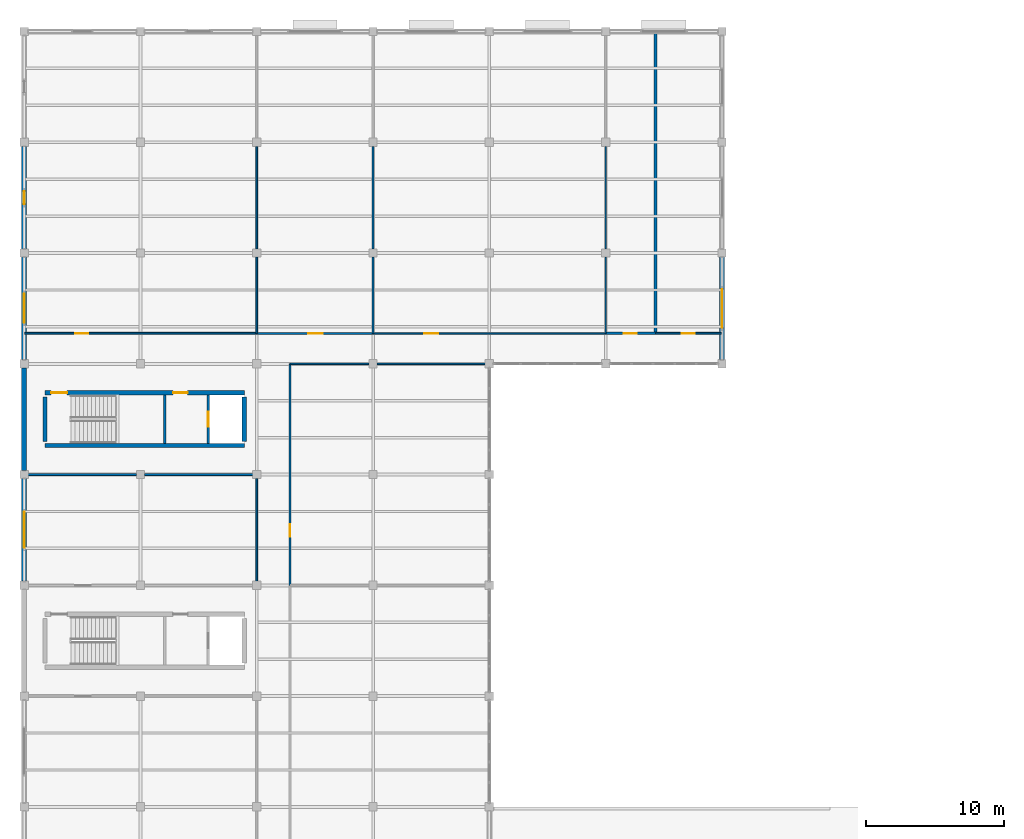
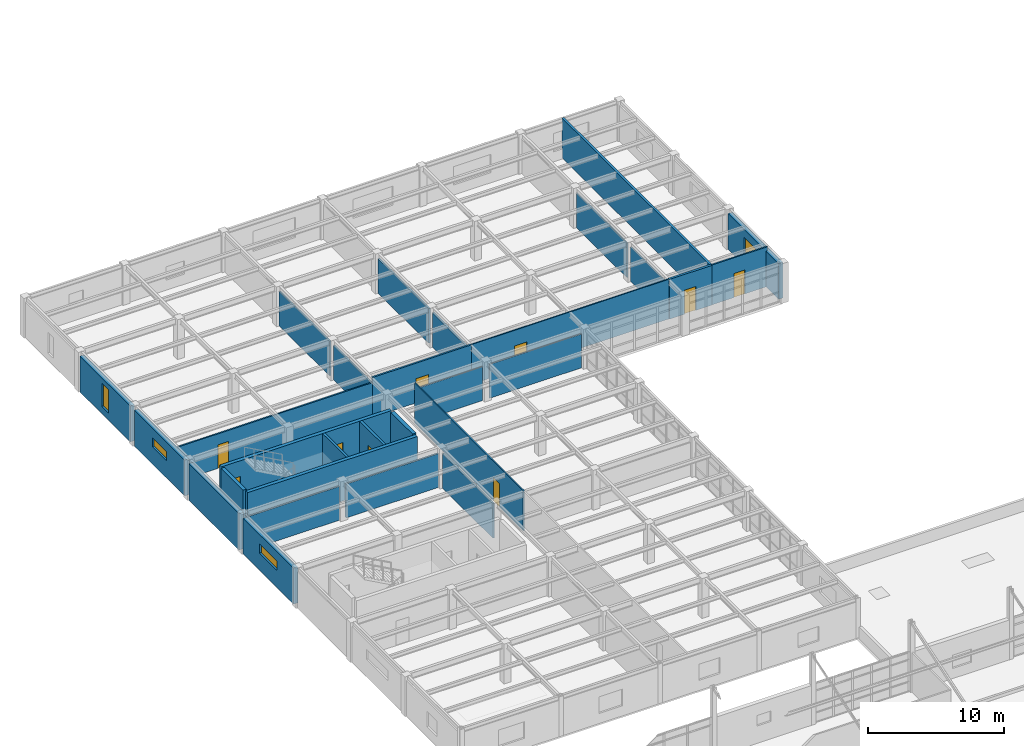
# One storey, part 50 of 96: 29 walls, 9 doors, 4 windows, 13 openings.
"""IFC4 building model written with IfcOpenShell, lengths in metres."""

from ifc_helpers import new_model, si_unit, direction, frame, frame_2d, origin, place, context, subcontext, project, spatial, rectangle, extrude, material, layer, layer_set, type_object, element, fill, save


model = new_model("IFC4")

# Units and contexts
model_context = context("Model", 3, precision=1e-05, world=origin(), true_north=direction((0.0, 1.0)))
body_context = subcontext(model_context, "Body", "Model", "MODEL_VIEW")
ifc_project = project(units=[si_unit("LENGTHUNIT", "METRE"), si_unit("AREAUNIT", "SQUARE_METRE"), si_unit("VOLUMEUNIT", "CUBIC_METRE"), si_unit("PLANEANGLEUNIT", "RADIAN"), si_unit("MASSUNIT", "GRAM", prefix="KILO")], contexts=[model_context])

# Site, building, storey
site_placement = place(None, origin())
site = spatial("IfcSite", under=ifc_project, at=site_placement, CompositionType="ELEMENT")
building_placement = place(site_placement, origin())
building = spatial("IfcBuilding", under=site, at=building_placement, Name="Kranzveld Transit Interchange", CompositionType="ELEMENT")
storey_placement = place(building_placement, frame((0.0, 0.0, 9.52001953125)))
storey = spatial("IfcBuildingStorey", under=building, at=storey_placement, Name="L02", CompositionType="ELEMENT", Elevation=9.52001953125)

# Walls
ifc_material_1 = material(Name="Clay masonry unit wall, 20 MPa", Category="masonry")
ifc_layer_1 = layer(ifc_material_1, 0.139892578125)
ifc_layer_set_1 = layer_set([ifc_layer_1], Name="Clay masonry unit wall, 20 MPa")
wall_type_1 = type_object("IfcWallType", Name="Acoustic Stud Partition 140", PredefinedType="PARTITIONING", material=ifc_layer_set_1)
for number, where, z_axis, x_axis, name in (
    (1, (0.2900390625, 80.0, 0.0), (0.0, 0.0, 1.0), (1.0, 0.0, 0.0), "L02 Partition IW-L02-L02V5M-BCK-226-0"),
    (2, (8.68994140625, 80.0, 0.0), (0.0, 0.0, 1.0), (1.0, 0.0, 0.0), "L02 Partition IW-L02-L02V5M-BCK-226-1"),
):
    element("IfcWall", number, at=place(storey_placement, frame(where, z_axis=z_axis, x_axis=x_axis)), inside=storey, type_object=wall_type_1, Name=name, PredefinedType="PARTITIONING", context=body_context, shape_type="SweptSolid", body=[
        extrude(rectangle(XDim=7.820068359375, YDim=0.139892578125, at=frame_2d((3.91015625, 0.0))), origin(), (0.0, 0.0, 1.0), 3.036865234375),
    ])
wall_1_placement = place(storey_placement, frame((16.800048828125, 72.2900390625, 0.0), z_axis=(0.0, 0.0, 1.0), x_axis=(0.0, 1.0, 0.0)))
element("IfcWall", 3, at=wall_1_placement, inside=storey, type_object=wall_type_1, Name="L02 Partition IW-L02-L02V5M-E-226-0", PredefinedType="PARTITIONING", context=body_context, shape_type="SweptSolid", body=[
    extrude(rectangle(XDim=7.419921875, YDim=0.139892578125, at=frame_2d((3.7099609375, 0.0))), origin(), (0.0, 0.0, 1.0), 3.106689453125),
])
ifc_material_2 = material(Name="Concrete C40/50", Category="concrete")
ifc_layer_2 = layer(ifc_material_2, 0.300048828125)
ifc_layer_set_2 = layer_set([ifc_layer_2], Name="Concrete C40/50")
wall_type_2 = type_object("IfcWallType", Name="Core Shear Wall RC 300 C40/50", PredefinedType="SHEAR", material=ifc_layer_set_2)
wall_2_placement = place(storey_placement, frame((1.5, 82.090087890625, 0.0), z_axis=(0.0, 0.0, 1.0), x_axis=(1.0, 0.0, 0.0)))
element("IfcWall", 4, at=wall_2_placement, inside=storey, type_object=wall_type_2, Name="L02 Operations Core C2 Shear Wall S", PredefinedType="SHEAR", context=body_context, shape_type="SweptSolid", body=[
    extrude(rectangle(XDim=14.39990234375, YDim=0.300048828125, at=frame_2d((7.199951171875, 0.0))), origin(), (0.0, 0.0, 1.0), 3.570068359375),
])

# Wall, openings, doors
wall_3_placement = place(storey_placement, frame((1.5, 85.909912109375, 0.0), z_axis=(0.0, 0.0, 1.0), x_axis=(1.0, 0.0, 0.0)))
wall_3 = element("IfcWall", 5, at=wall_3_placement, inside=storey, type_object=wall_type_2, Name="L02 Operations Core C2 Shear Wall N", PredefinedType="SHEAR", context=body_context, shape_type="SweptSolid", body=[
    extrude(rectangle(XDim=14.39990234375, YDim=0.300048828125, at=frame_2d((7.199951171875, 0.0))), origin(), (0.0, 0.0, 1.0), 3.570068359375),
])
opening_1_placement = place(wall_3_placement, frame((0.449951171875, 0.0, 0.0), z_axis=(0.0, 0.0, 1.0), x_axis=(1.0, 0.0, 0.0)))
opening_1 = element("IfcOpeningElement", 6, at=opening_1_placement, cuts=wall_3, Name="Opening D-ST-C2-L02", PredefinedType="OPENING", context=body_context, shape_type="SweptSolid", body=[
    extrude(rectangle(XDim=1.14990234375, YDim=2.14990234375, at=frame_2d((0.574951171875, 1.074951171875))), frame((0.0, 0.159912109375, 0.0), z_axis=(0.0, -1.0, 0.0), x_axis=(1.0, 0.0, 0.0)), (0.0, 0.0, 1.0), 0.320068359375),
])
opening_2_placement = place(wall_3_placement, frame((9.25, 0.0, 0.0), z_axis=(0.0, 0.0, 1.0), x_axis=(1.0, 0.0, 0.0)))
opening_2 = element("IfcOpeningElement", 7, at=opening_2_placement, cuts=wall_3, Name="Opening D-LB-C2-L02", PredefinedType="OPENING", context=body_context, shape_type="SweptSolid", body=[
    extrude(rectangle(XDim=1.050048828125, YDim=2.14990234375, at=frame_2d((0.52490234375, 1.074951171875))), frame((0.0, 0.159912109375, 0.0), z_axis=(0.0, -1.0, 0.0), x_axis=(1.0, 0.0, 0.0)), (0.0, 0.0, 1.0), 0.320068359375),
])
ifc_material_3 = material(Name="Steel S355JR", Category="steel")
door_type_1 = type_object("IfcDoorType", Name="Lift Lobby Fire Door 1050x2150 FD120S", OperationType="NOTDEFINED", PredefinedType="DOOR", material=ifc_material_3)
door_1_placement = place(opening_2_placement, origin())
door_1 = element("IfcDoor", 8, at=door_1_placement, inside=storey, type_object=door_type_1, Name="L02 Operations Core C2 Lift Protected Lobby Door", OperationType="SINGLE_SWING_RIGHT", OverallHeight=2.14990234375, OverallWidth=1.050048828125, PredefinedType="DOOR", context=body_context, shape_type="SweptSolid", body=[
    extrude(rectangle(XDim=1.050048828125, YDim=2.14990234375, at=frame_2d((0.52490234375, 1.074951171875))), frame((0.0, 0.02490234375, 0.0), z_axis=(0.0, -1.0, 0.0), x_axis=(1.0, 0.0, 0.0)), (0.0, 0.0, 1.0), 0.050048828125),
])
fill(opening_2, door_1)
ifc_material_4 = material(Name="Steel S355JR", Category="steel")
door_type_2 = type_object("IfcDoorType", Name="Stair Core Fire Door 1150x2150 FD120S", OperationType="NOTDEFINED", PredefinedType="DOOR", material=ifc_material_4)
door_2_placement = place(opening_1_placement, origin())
door_2 = element("IfcDoor", 9, at=door_2_placement, inside=storey, type_object=door_type_2, Name="L02 ST-C2 Protected Stair Door", OperationType="SINGLE_SWING_RIGHT", OverallHeight=2.14990234375, OverallWidth=1.14990234375, PredefinedType="DOOR", context=body_context, shape_type="SweptSolid", body=[
    extrude(rectangle(XDim=1.14990234375, YDim=2.14990234375, at=frame_2d((0.574951171875, 1.074951171875))), frame((0.0, 0.02490234375, 0.0), z_axis=(0.0, -1.0, 0.0), x_axis=(1.0, 0.0, 0.0)), (0.0, 0.0, 1.0), 0.050048828125),
])
fill(opening_1, door_2)

# Walls
for number, where, z_axis, x_axis, name in (
    (10, (1.5, 82.389892578125, 0.0), (0.0, 0.0, 1.0), (0.0, 1.0, 0.0), "L02 Operations Core C2 Shear Wall W"),
    (11, (15.89990234375, 82.389892578125, 0.0), (0.0, 0.0, 1.0), (0.0, 1.0, 0.0), "L02 Operations Core C2 Shear Wall E"),
):
    element("IfcWall", number, at=place(storey_placement, frame(where, z_axis=z_axis, x_axis=x_axis)), inside=storey, type_object=wall_type_2, Name=name, PredefinedType="SHEAR", context=body_context, shape_type="SweptSolid", body=[
        extrude(rectangle(XDim=3.22021484375, YDim=0.300048828125, at=frame_2d((1.610107421875, 0.0))), origin(), (0.0, 0.0, 1.0), 3.570068359375),
    ])

# Wall, opening, window
ifc_material_5 = material(Name="Pretoria red-purple clinker clay face brick, 35 MPa", Category="masonry")
ifc_layer_3 = layer(ifc_material_5, 0.360107421875)
ifc_layer_set_3 = layer_set([ifc_layer_3], Name="Pretoria red-purple clinker clay face brick, 35 MPa")
wall_type_3 = type_object("IfcWallType", Name="Exterior Cavity Wall Red Clinker 360", PredefinedType="SOLIDWALL", material=ifc_layer_set_3)
wall_4_placement = place(storey_placement, frame((50.39990234375, 88.300048828125, 0.0), z_axis=(0.0, 0.0, 1.0), x_axis=(0.0, 1.0, 0.0)))
wall_4 = element("IfcWall", 12, at=wall_4_placement, inside=storey, type_object=wall_type_3, Name="L02 Clinker Facade Wall 07/M-07/N", PredefinedType="SOLIDWALL", context=body_context, shape_type="SweptSolid", body=[
    extrude(rectangle(XDim=7.39990234375, YDim=0.360107421875, at=frame_2d((3.699951171875, 0.0))), origin(), (0.0, 0.0, 1.0), 3.218505859375),
])
opening_3_placement = place(wall_4_placement, frame((2.300048828125, 0.0, 0.89990234375), z_axis=(0.0, 0.0, 1.0), x_axis=(1.0, 0.0, 0.0)))
opening_3 = element("IfcOpeningElement", 13, at=opening_3_placement, cuts=wall_4, Name="Opening W-05", PredefinedType="OPENING", context=body_context, shape_type="SweptSolid", body=[
    extrude(rectangle(XDim=2.800048828125, YDim=1.60009765625, at=frame_2d((1.39990234375, 0.800048828125))), frame((0.0, 0.18994140625, 0.0), z_axis=(0.0, -1.0, 0.0), x_axis=(1.0, 0.0, 0.0)), (0.0, 0.0, 1.0), 0.380126953125),
])
ifc_material_6 = material(Name="Solar-control double glazing", Category="glass")
window_type_1 = type_object("IfcWindowType", Name="Window Ribbon Double 2800x1600", PartitioningType="DOUBLE_PANEL_VERTICAL", PredefinedType="WINDOW", material=ifc_material_6)
window_1_placement = place(opening_3_placement, origin())
window_1 = element("IfcWindow", 14, at=window_1_placement, inside=storey, type_object=window_type_1, Name="L02 Facade Window 07/M", OverallHeight=1.60009765625, OverallWidth=2.800048828125, PartitioningType="DOUBLE_PANEL_VERTICAL", PredefinedType="WINDOW", context=body_context, shape_type="SweptSolid", body=[
    extrude(rectangle(XDim=2.800048828125, YDim=1.60009765625, at=frame_2d((1.39990234375, 0.800048828125))), frame((0.0, 0.030029296875, 0.0), z_axis=(0.0, -1.0, 0.0), x_axis=(1.0, 0.0, 0.0)), (0.0, 0.0, 1.0), 0.06005859375),
])
fill(opening_3, window_1)

wall_5_placement = place(storey_placement, frame((0.0, 72.300048828125, 0.0), z_axis=(0.0, 0.0, 1.0), x_axis=(0.0, 1.0, 0.0)))
wall_5 = element("IfcWall", 15, at=wall_5_placement, inside=storey, type_object=wall_type_3, Name="L02 Clinker Facade Wall 01/K-01/L", PredefinedType="SOLIDWALL", context=body_context, shape_type="SweptSolid", body=[
    extrude(rectangle(XDim=7.39990234375, YDim=0.360107421875, at=frame_2d((3.699951171875, 0.0))), origin(), (0.0, 0.0, 1.0), 3.218505859375),
])
opening_4_placement = place(wall_5_placement, frame((2.39990234375, 0.0, 1.550048828125), z_axis=(0.0, 0.0, 1.0), x_axis=(1.0, 0.0, 0.0)))
opening_4 = element("IfcOpeningElement", 16, at=opening_4_placement, cuts=wall_5, Name="Opening W-15", PredefinedType="OPENING", context=body_context, shape_type="SweptSolid", body=[
    extrude(rectangle(XDim=2.60009765625, YDim=0.85009765625, at=frame_2d((1.300048828125, 0.425048828125))), frame((0.0, 0.18994140625, 0.0), z_axis=(0.0, -1.0, 0.0), x_axis=(1.0, 0.0, 0.0)), (0.0, 0.0, 1.0), 0.380126953125),
])
ifc_material_7 = material(Name="Solar-control double glazing", Category="glass")
window_type_2 = type_object("IfcWindowType", Name="Window Clerestory 2600x850", PartitioningType="DOUBLE_PANEL_HORIZONTAL", PredefinedType="WINDOW", material=ifc_material_7)
window_2_placement = place(opening_4_placement, origin())
window_2 = element("IfcWindow", 17, at=window_2_placement, inside=storey, type_object=window_type_2, Name="L02 Facade Window 01/K", OverallHeight=0.85009765625, OverallWidth=2.60009765625, PartitioningType="DOUBLE_PANEL_HORIZONTAL", PredefinedType="WINDOW", context=body_context, shape_type="SweptSolid", body=[
    extrude(rectangle(XDim=2.60009765625, YDim=0.85009765625, at=frame_2d((1.300048828125, 0.425048828125))), frame((0.0, 0.030029296875, 0.0), z_axis=(0.0, -1.0, 0.0), x_axis=(1.0, 0.0, 0.0)), (0.0, 0.0, 1.0), 0.06005859375),
])
fill(opening_4, window_2)

# Wall
wall_6_placement = place(storey_placement, frame((0.0, 80.300048828125, 0.0), z_axis=(0.0, 0.0, 1.0), x_axis=(0.0, 1.0, 0.0)))
element("IfcWall", 18, at=wall_6_placement, inside=storey, type_object=wall_type_3, Name="L02 Clinker Facade Wall 01/L-01/M", PredefinedType="SOLIDWALL", context=body_context, shape_type="SweptSolid", body=[
    extrude(rectangle(XDim=7.39990234375, YDim=0.360107421875, at=frame_2d((3.699951171875, 0.0))), origin(), (0.0, 0.0, 1.0), 3.27001953125),
])

# Wall, opening, window
wall_7_placement = place(storey_placement, frame((0.0, 88.300048828125, 0.0), z_axis=(0.0, 0.0, 1.0), x_axis=(0.0, 1.0, 0.0)))
wall_7 = element("IfcWall", 19, at=wall_7_placement, inside=storey, type_object=wall_type_3, Name="L02 Clinker Facade Wall 01/M-01/N", PredefinedType="SOLIDWALL", context=body_context, shape_type="SweptSolid", body=[
    extrude(rectangle(XDim=7.39990234375, YDim=0.360107421875, at=frame_2d((3.699951171875, 0.0))), origin(), (0.0, 0.0, 1.0), 3.218505859375),
])
opening_5_placement = place(wall_7_placement, frame((2.64990234375, 0.0, 1.550048828125), z_axis=(0.0, 0.0, 1.0), x_axis=(1.0, 0.0, 0.0)))
opening_5 = element("IfcOpeningElement", 20, at=opening_5_placement, cuts=wall_7, Name="Opening W-16", PredefinedType="OPENING", context=body_context, shape_type="SweptSolid", body=[
    extrude(rectangle(XDim=2.10009765625, YDim=0.800048828125, at=frame_2d((1.050048828125, 0.39990234375))), frame((0.0, 0.18994140625, 0.0), z_axis=(0.0, -1.0, 0.0), x_axis=(1.0, 0.0, 0.0)), (0.0, 0.0, 1.0), 0.380126953125),
])
ifc_material_8 = material(Name="Solar-control double glazing", Category="glass")
window_type_3 = type_object("IfcWindowType", Name="Window Clerestory 2100x800", PartitioningType="DOUBLE_PANEL_HORIZONTAL", PredefinedType="WINDOW", material=ifc_material_8)
window_3_placement = place(opening_5_placement, origin())
window_3 = element("IfcWindow", 21, at=window_3_placement, inside=storey, type_object=window_type_3, Name="L02 Facade Window 01/M", OverallHeight=0.800048828125, OverallWidth=2.10009765625, PartitioningType="DOUBLE_PANEL_HORIZONTAL", PredefinedType="WINDOW", context=body_context, shape_type="SweptSolid", body=[
    extrude(rectangle(XDim=2.10009765625, YDim=0.800048828125, at=frame_2d((1.050048828125, 0.39990234375))), frame((0.0, 0.030029296875, 0.0), z_axis=(0.0, -1.0, 0.0), x_axis=(1.0, 0.0, 0.0)), (0.0, 0.0, 1.0), 0.06005859375),
])
fill(opening_5, window_3)

wall_8_placement = place(storey_placement, frame((0.0, 96.300048828125, 0.0), z_axis=(0.0, 0.0, 1.0), x_axis=(0.0, 1.0, 0.0)))
wall_8 = element("IfcWall", 22, at=wall_8_placement, inside=storey, type_object=wall_type_3, Name="L02 Clinker Facade Wall 01/N-01/P", PredefinedType="SOLIDWALL", context=body_context, shape_type="SweptSolid", body=[
    extrude(rectangle(XDim=7.39990234375, YDim=0.360107421875, at=frame_2d((3.699951171875, 0.0))), origin(), (0.0, 0.0, 1.0), 3.218505859375),
])
opening_6_placement = place(wall_8_placement, frame((3.22509765625, 0.0, 0.64990234375), z_axis=(0.0, 0.0, 1.0), x_axis=(1.0, 0.0, 0.0)))
opening_6 = element("IfcOpeningElement", 23, at=opening_6_placement, cuts=wall_8, Name="Opening W-17", PredefinedType="OPENING", context=body_context, shape_type="SweptSolid", body=[
    extrude(rectangle(XDim=0.949951171875, YDim=2.10009765625, at=frame_2d((0.47509765625, 1.050048828125))), frame((0.0, 0.18994140625, 0.0), z_axis=(0.0, -1.0, 0.0), x_axis=(1.0, 0.0, 0.0)), (0.0, 0.0, 1.0), 0.380126953125),
])
ifc_material_9 = material(Name="Solar-control double glazing", Category="glass")
window_type_4 = type_object("IfcWindowType", Name="Window Ladder Slot 950x2100", PartitioningType="SINGLE_PANEL", PredefinedType="WINDOW", material=ifc_material_9)
window_4_placement = place(opening_6_placement, origin())
window_4 = element("IfcWindow", 24, at=window_4_placement, inside=storey, type_object=window_type_4, Name="L02 Facade Window 01/N", OverallHeight=2.10009765625, OverallWidth=0.949951171875, PartitioningType="SINGLE_PANEL", PredefinedType="WINDOW", context=body_context, shape_type="SweptSolid", body=[
    extrude(rectangle(XDim=0.949951171875, YDim=2.10009765625, at=frame_2d((0.47509765625, 1.050048828125))), frame((0.0, 0.030029296875, 0.0), z_axis=(0.0, -1.0, 0.0), x_axis=(1.0, 0.0, 0.0)), (0.0, 0.0, 1.0), 0.06005859375),
])
fill(opening_6, window_4)

# Wall, opening, door
ifc_material_10 = material(Name="Clay masonry unit wall, 20 MPa", Category="masonry")
ifc_layer_4 = layer(ifc_material_10, 0.14990234375)
ifc_layer_set_4 = layer_set([ifc_layer_4], Name="Clay masonry unit wall, 20 MPa")
wall_type_4 = type_object("IfcWallType", Name="Fire Rated Partition Wall 150 EI60", PredefinedType="PARTITIONING", material=ifc_layer_set_4)
wall_9_placement = place(storey_placement, frame((16.800048828125, 90.199951171875, 0.0), z_axis=(0.0, 0.0, 1.0), x_axis=(1.0, 0.0, 0.0)))
wall_9 = element("IfcWall", 25, at=wall_9_placement, inside=storey, type_object=wall_type_4, Name="L02 Partition IW-L02-L02V5N-FRT-217-0", PredefinedType="PARTITIONING", context=body_context, shape_type="SweptSolid", body=[
    extrude(rectangle(XDim=8.39990234375, YDim=0.14990234375, at=frame_2d((4.199951171875, 0.0))), origin(), (0.0, 0.0, 1.0), 3.570068359375),
])
opening_7_placement = place(wall_9_placement, frame((3.699951171875, 0.0, 0.0), z_axis=(0.0, 0.0, 1.0), x_axis=(1.0, 0.0, 0.0)))
opening_7 = element("IfcOpeningElement", 26, at=opening_7_placement, cuts=wall_9, Name="Opening D-217", PredefinedType="OPENING", context=body_context, shape_type="SweptSolid", body=[
    extrude(rectangle(XDim=1.080078125, YDim=2.179931640625, at=frame_2d((0.5400390625, 1.08984375))), frame((0.0, 0.0849609375, 0.0), z_axis=(0.0, -1.0, 0.0), x_axis=(1.0, 0.0, 0.0)), (0.0, 0.0, 1.0), 0.169921875),
])
ifc_material_11 = material(Name="Steel S355JR", Category="steel")
door_type_3 = type_object("IfcDoorType", Name="Fire Rated Plant Door 1080x2180 FD60S", OperationType="NOTDEFINED", PredefinedType="DOOR", material=ifc_material_11)
door_3_placement = place(opening_7_placement, origin())
door_3 = element("IfcDoor", 27, at=door_3_placement, inside=storey, type_object=door_type_3, Name="L02 Interior Door D-217", OperationType="SINGLE_SWING_RIGHT", OverallHeight=2.179931640625, OverallWidth=1.080078125, PredefinedType="DOOR", context=body_context, shape_type="SweptSolid", body=[
    extrude(rectangle(XDim=1.080078125, YDim=2.179931640625, at=frame_2d((0.5400390625, 1.08984375))), frame((0.0, 0.02490234375, 0.0), z_axis=(0.0, -1.0, 0.0), x_axis=(1.0, 0.0, 0.0)), (0.0, 0.0, 1.0), 0.050048828125),
])
fill(opening_7, door_3)

# Walls
wall_10_placement = place(storey_placement, frame((25.199951171875, 90.199951171875, 0.0), z_axis=(0.0, 0.0, 1.0), x_axis=(0.0, 1.0, 0.0)))
element("IfcWall", 28, at=wall_10_placement, inside=storey, type_object=wall_type_4, Name="L02 Partition IW-L02-L02V5N-E-217-0", PredefinedType="PARTITIONING", context=body_context, shape_type="SweptSolid", body=[
    extrude(rectangle(XDim=5.510009765625, YDim=0.14990234375, at=frame_2d((2.7548828125, 0.0))), origin(), (0.0, 0.0, 1.0), 3.106689453125),
])
wall_11_placement = place(storey_placement, frame((25.199951171875, 96.2900390625, 0.0), z_axis=(0.0, 0.0, 1.0), x_axis=(0.0, 1.0, 0.0)))
element("IfcWall", 29, at=wall_11_placement, inside=storey, type_object=wall_type_4, Name="L02 Partition IW-L02-L02V5N-E-217-1", PredefinedType="PARTITIONING", context=body_context, shape_type="SweptSolid", body=[
    extrude(rectangle(XDim=7.419921875, YDim=0.14990234375, at=frame_2d((3.7099609375, 0.0))), origin(), (0.0, 0.0, 1.0), 3.106689453125),
])

# Wall, opening, door
ifc_material_12 = material(Name="Clay masonry unit wall, 20 MPa", Category="masonry")
ifc_layer_5 = layer(ifc_material_12, 0.125)
ifc_layer_set_5 = layer_set([ifc_layer_5], Name="Clay masonry unit wall, 20 MPa")
wall_type_5 = type_object("IfcWallType", Name="Internal Blockwork Partition 125", PredefinedType="PARTITIONING", material=ifc_layer_set_5)
wall_12_placement = place(storey_placement, frame((0.0400390625, 90.199951171875, 0.0), z_axis=(0.0, 0.0, 1.0), x_axis=(1.0, 0.0, 0.0)))
wall_12 = element("IfcWall", 30, at=wall_12_placement, inside=storey, type_object=wall_type_5, Name="L02 Partition IW-L02-L02V5N-FRT-216-0", PredefinedType="PARTITIONING", context=body_context, shape_type="SweptSolid", body=[
    extrude(rectangle(XDim=16.760009765625, YDim=0.125, at=frame_2d((8.3798828125, 0.0))), origin(), (0.0, 0.0, 1.0), 3.106689453125),
])
opening_8_placement = place(wall_12_placement, frame((3.659912109375, 0.0, 0.0), z_axis=(0.0, 0.0, 1.0), x_axis=(1.0, 0.0, 0.0)))
opening_8 = element("IfcOpeningElement", 31, at=opening_8_placement, cuts=wall_12, Name="Opening D-216", PredefinedType="OPENING", context=body_context, shape_type="SweptSolid", body=[
    extrude(rectangle(XDim=0.919921875, YDim=2.1201171875, at=frame_2d((0.4599609375, 1.06005859375))), frame((0.0, 0.072509765625, 0.0), z_axis=(0.0, -1.0, 0.0), x_axis=(1.0, 0.0, 0.0)), (0.0, 0.0, 1.0), 0.14501953125),
])
ifc_material_13 = material(Name="Bronze-anodised thermally broken aluminium", Category="aluminium")
door_type_4 = type_object("IfcDoorType", Name="Consulting Room Door 920x2120", OperationType="NOTDEFINED", PredefinedType="DOOR", material=ifc_material_13)
door_4_placement = place(opening_8_placement, origin())
door_4 = element("IfcDoor", 32, at=door_4_placement, inside=storey, type_object=door_type_4, Name="L02 Interior Door D-216", OperationType="SINGLE_SWING_LEFT", OverallHeight=2.1201171875, OverallWidth=0.919921875, PredefinedType="DOOR", context=body_context, shape_type="SweptSolid", body=[
    extrude(rectangle(XDim=0.919921875, YDim=2.1201171875, at=frame_2d((0.4599609375, 1.06005859375))), frame((0.0, 0.02490234375, 0.0), z_axis=(0.0, -1.0, 0.0), x_axis=(1.0, 0.0, 0.0)), (0.0, 0.0, 1.0), 0.050048828125),
])
fill(opening_8, door_4)

wall_13_placement = place(storey_placement, frame((45.60009765625, 90.199951171875, 0.0), z_axis=(0.0, 0.0, 1.0), x_axis=(1.0, 0.0, 0.0)))
wall_13 = element("IfcWall", 33, at=wall_13_placement, inside=storey, type_object=wall_type_5, Name="L02 Partition IW-L02-L02V5NWC-ADJ-225-0", PredefinedType="PARTITIONING", context=body_context, shape_type="SweptSolid", body=[
    extrude(rectangle(XDim=4.760009765625, YDim=0.125, at=frame_2d((2.3798828125, 0.0))), origin(), (0.0, 0.0, 1.0), 3.570068359375),
])
opening_9_placement = place(wall_13_placement, frame((1.8798828125, 0.0, 0.0), z_axis=(0.0, 0.0, 1.0), x_axis=(1.0, 0.0, 0.0)))
opening_9 = element("IfcOpeningElement", 34, at=opening_9_placement, cuts=wall_13, Name="Opening D-225", PredefinedType="OPENING", context=body_context, shape_type="SweptSolid", body=[
    extrude(rectangle(XDim=0.949951171875, YDim=2.14990234375, at=frame_2d((0.47509765625, 1.074951171875))), frame((0.0, 0.072509765625, 0.0), z_axis=(0.0, -1.0, 0.0), x_axis=(1.0, 0.0, 0.0)), (0.0, 0.0, 1.0), 0.14501953125),
])
ifc_material_14 = material(Name="Bronze-anodised thermally broken aluminium", Category="aluminium")
door_type_5 = type_object("IfcDoorType", Name="Internal Office Door 950x2150", OperationType="NOTDEFINED", PredefinedType="DOOR", material=ifc_material_14)
door_5_placement = place(opening_9_placement, origin())
door_5 = element("IfcDoor", 35, at=door_5_placement, inside=storey, type_object=door_type_5, Name="L02 Interior Door D-225", OperationType="SINGLE_SWING_RIGHT", OverallHeight=2.14990234375, OverallWidth=0.949951171875, PredefinedType="DOOR", context=body_context, shape_type="SweptSolid", body=[
    extrude(rectangle(XDim=0.949951171875, YDim=2.14990234375, at=frame_2d((0.47509765625, 1.074951171875))), frame((0.0, 0.02490234375, 0.0), z_axis=(0.0, -1.0, 0.0), x_axis=(1.0, 0.0, 0.0)), (0.0, 0.0, 1.0), 0.050048828125),
])
fill(opening_9, door_5)

# Walls
wall_14_placement = place(storey_placement, frame((16.800048828125, 90.199951171875, 0.0), z_axis=(0.0, 0.0, 1.0), x_axis=(0.0, 1.0, 0.0)))
element("IfcWall", 36, at=wall_14_placement, inside=storey, type_object=wall_type_5, Name="L02 Partition IW-L02-L02V5N-E-216-0", PredefinedType="PARTITIONING", context=body_context, shape_type="SweptSolid", body=[
    extrude(rectangle(XDim=5.510009765625, YDim=0.125, at=frame_2d((2.7548828125, 0.0))), origin(), (0.0, 0.0, 1.0), 3.106689453125),
])
wall_15_placement = place(storey_placement, frame((16.800048828125, 96.2900390625, 0.0), z_axis=(0.0, 0.0, 1.0), x_axis=(0.0, 1.0, 0.0)))
element("IfcWall", 37, at=wall_15_placement, inside=storey, type_object=wall_type_5, Name="L02 Partition IW-L02-L02V5N-E-216-1", PredefinedType="PARTITIONING", context=body_context, shape_type="SweptSolid", body=[
    extrude(rectangle(XDim=7.419921875, YDim=0.125, at=frame_2d((3.7099609375, 0.0))), origin(), (0.0, 0.0, 1.0), 3.106689453125),
])

# Wall, opening, door
ifc_material_15 = material(Name="Clay masonry unit wall, 20 MPa", Category="masonry")
ifc_layer_6 = layer(ifc_material_15, 0.114990234375)
ifc_layer_set_6 = layer_set([ifc_layer_6], Name="Clay masonry unit wall, 20 MPa")
wall_type_6 = type_object("IfcWallType", Name="Internal Masonry Partition 115", PredefinedType="PARTITIONING", material=ifc_layer_set_6)
wall_16_placement = place(storey_placement, frame((19.199951171875, 72.0, 0.0), z_axis=(0.0, 0.0, 1.0), x_axis=(0.0, 1.0, 0.0)))
wall_16 = element("IfcWall", 38, at=wall_16_placement, inside=storey, type_object=wall_type_6, Name="L02 Partition IW-L02-L02V5E-FRT-223-0", PredefinedType="PARTITIONING", context=body_context, shape_type="SweptSolid", body=[
    extrude(rectangle(XDim=16.0, YDim=0.114990234375, at=frame_2d((8.0, 0.0))), origin(), (0.0, 0.0, 1.0), 3.570068359375),
])
opening_10_placement = place(wall_16_placement, frame((4.39990234375, 0.0, 0.0), z_axis=(0.0, 0.0, 1.0), x_axis=(-1.0, 0.0, 0.0)))
opening_10 = element("IfcOpeningElement", 39, at=opening_10_placement, cuts=wall_16, Name="Opening D-223", PredefinedType="OPENING", context=body_context, shape_type="SweptSolid", body=[
    extrude(rectangle(XDim=0.89990234375, YDim=2.10009765625, at=frame_2d((0.449951171875, 1.050048828125))), frame((0.0, 0.0673828125, 0.0), z_axis=(0.0, -1.0, 0.0), x_axis=(1.0, 0.0, 0.0)), (0.0, 0.0, 1.0), 0.135009765625),
])
ifc_material_16 = material(Name="Bronze-anodised thermally broken aluminium", Category="aluminium")
door_type_6 = type_object("IfcDoorType", Name="Staff Office Door 900x2100", OperationType="NOTDEFINED", PredefinedType="DOOR", material=ifc_material_16)
door_6_placement = place(opening_10_placement, origin())
door_6 = element("IfcDoor", 40, at=door_6_placement, inside=storey, type_object=door_type_6, Name="L02 Interior Door D-223", OperationType="SINGLE_SWING_RIGHT", OverallHeight=2.10009765625, OverallWidth=0.89990234375, PredefinedType="DOOR", context=body_context, shape_type="SweptSolid", body=[
    extrude(rectangle(XDim=0.89990234375, YDim=2.10009765625, at=frame_2d((0.449951171875, 1.050048828125))), frame((0.0, 0.02490234375, 0.0), z_axis=(0.0, -1.0, 0.0), x_axis=(1.0, 0.0, 0.0)), (0.0, 0.0, 1.0), 0.050048828125),
])
fill(opening_10, door_6)

# Walls
wall_17_placement = place(storey_placement, frame((19.199951171875, 88.0, 0.0), z_axis=(0.0, 0.0, 1.0), x_axis=(1.0, 0.0, 0.0)))
element("IfcWall", 41, at=wall_17_placement, inside=storey, type_object=wall_type_6, Name="L02 Partition IW-L02-L02V5E-N-223-0", PredefinedType="PARTITIONING", context=body_context, shape_type="SweptSolid", body=[
    extrude(rectangle(XDim=5.7099609375, YDim=0.114990234375, at=frame_2d((2.85498046875, 0.0))), origin(), (0.0, 0.0, 1.0), 3.036865234375),
])
wall_18_placement = place(storey_placement, frame((25.489990234375, 88.0, 0.0), z_axis=(0.0, 0.0, 1.0), x_axis=(1.0, 0.0, 0.0)))
element("IfcWall", 42, at=wall_18_placement, inside=storey, type_object=wall_type_6, Name="L02 Partition IW-L02-L02V5E-N-223-1", PredefinedType="PARTITIONING", context=body_context, shape_type="SweptSolid", body=[
    extrude(rectangle(XDim=7.820068359375, YDim=0.114990234375, at=frame_2d((3.91015625, 0.0))), origin(), (0.0, 0.0, 1.0), 3.036865234375),
])
ifc_material_17 = material(Name="Concrete C40/50", Category="concrete")
ifc_layer_7 = layer(ifc_material_17, 0.199951171875)
ifc_layer_set_7 = layer_set([ifc_layer_7], Name="Concrete C40/50")
wall_type_7 = type_object("IfcWallType", Name="Lift Shaft Enclosure Wall RC 200 EI120", PredefinedType="SHEAR", material=ifc_layer_set_7)
wall_19_placement = place(storey_placement, frame((10.14990234375, 82.239990234375, 0.0), z_axis=(0.0, 0.0, 1.0), x_axis=(0.0, 1.0, 0.0)))
element("IfcWall", 43, at=wall_19_placement, inside=storey, type_object=wall_type_7, Name="L02 Operations Core C2 Stair-Lobby Dividing Wall", PredefinedType="SHEAR", context=body_context, shape_type="SweptSolid", body=[
    extrude(rectangle(XDim=3.52001953125, YDim=0.199951171875, at=frame_2d((1.760009765625, 0.0))), origin(), (0.0, 0.0, 1.0), 3.570068359375),
])

# Wall, opening, door
wall_20_placement = place(storey_placement, frame((13.300048828125, 82.239990234375, 0.0), z_axis=(0.0, 0.0, 1.0), x_axis=(0.0, 1.0, 0.0)))
wall_20 = element("IfcWall", 44, at=wall_20_placement, inside=storey, type_object=wall_type_7, Name="L02 LF-C2 Shaft Front Wall", PredefinedType="SHEAR", context=body_context, shape_type="SweptSolid", body=[
    extrude(rectangle(XDim=3.52001953125, YDim=0.199951171875, at=frame_2d((1.760009765625, 0.0))), origin(), (0.0, 0.0, 1.0), 3.570068359375),
])
opening_11_placement = place(wall_20_placement, frame((1.2099609375, 0.0, 0.0), z_axis=(0.0, 0.0, 1.0), x_axis=(1.0, 0.0, 0.0)))
opening_11 = element("IfcOpeningElement", 45, at=opening_11_placement, cuts=wall_20, Name="Opening LD-LF-C2-L02", PredefinedType="OPENING", context=body_context, shape_type="SweptSolid", body=[
    extrude(rectangle(XDim=1.10009765625, YDim=2.14990234375, at=frame_2d((0.550048828125, 1.074951171875))), frame((0.0, 0.10986328125, 0.0), z_axis=(0.0, -1.0, 0.0), x_axis=(1.0, 0.0, 0.0)), (0.0, 0.0, 1.0), 0.219970703125),
])
ifc_material_18 = material(Name="Steel S355JR", Category="steel")
door_type_7 = type_object("IfcDoorType", Name="Lift Landing Sliding Door 1100x2150 FD120S", OperationType="NOTDEFINED", PredefinedType="DOOR", material=ifc_material_18)
door_7_placement = place(opening_11_placement, origin())
door_7 = element("IfcDoor", 46, at=door_7_placement, inside=storey, type_object=door_type_7, Name="L02 LF-C2 Sliding Landing Door", OperationType="DOUBLE_DOOR_SLIDING", OverallHeight=2.14990234375, OverallWidth=1.10009765625, PredefinedType="DOOR", context=body_context, shape_type="SweptSolid", body=[
    extrude(rectangle(XDim=1.10009765625, YDim=2.14990234375, at=frame_2d((0.550048828125, 1.074951171875))), frame((0.0, 0.02490234375, 0.0), z_axis=(0.0, -1.0, 0.0), x_axis=(1.0, 0.0, 0.0)), (0.0, 0.0, 1.0), 0.050048828125),
])
fill(opening_11, door_7)

ifc_material_19 = material(Name="Clay masonry unit wall, 20 MPa", Category="masonry")
ifc_layer_8 = layer(ifc_material_19, 0.10009765625)
ifc_layer_set_8 = layer_set([ifc_layer_8], Name="Clay masonry unit wall, 20 MPa")
wall_type_8 = type_object("IfcWallType", Name="Lightweight Drywall Partition 100", PredefinedType="PARTITIONING", material=ifc_layer_set_8)
wall_21_placement = place(storey_placement, frame((25.199951171875, 90.199951171875, 0.0), z_axis=(0.0, 0.0, 1.0), x_axis=(1.0, 0.0, 0.0)))
wall_21 = element("IfcWall", 47, at=wall_21_placement, inside=storey, type_object=wall_type_8, Name="L02 Partition IW-L02-L02V5N-FRT-214-0", PredefinedType="PARTITIONING", context=body_context, shape_type="SweptSolid", body=[
    extrude(rectangle(XDim=16.800048828125, YDim=0.10009765625, at=frame_2d((8.39990234375, 0.0))), origin(), (0.0, 0.0, 1.0), 3.570068359375),
])
opening_12_placement = place(wall_21_placement, frame((3.699951171875, 0.0, 0.0), z_axis=(0.0, 0.0, 1.0), x_axis=(1.0, 0.0, 0.0)))
opening_12 = element("IfcOpeningElement", 48, at=opening_12_placement, cuts=wall_21, Name="Opening D-214", PredefinedType="OPENING", context=body_context, shape_type="SweptSolid", body=[
    extrude(rectangle(XDim=1.02001953125, YDim=2.159912109375, at=frame_2d((0.510009765625, 1.080078125))), frame((0.0, 0.06005859375, 0.0), z_axis=(0.0, -1.0, 0.0), x_axis=(1.0, 0.0, 0.0)), (0.0, 0.0, 1.0), 0.1201171875),
])
ifc_material_20 = material(Name="Bronze-anodised thermally broken aluminium", Category="aluminium")
door_type_8 = type_object("IfcDoorType", Name="Studio Wide Door 1020x2160", OperationType="NOTDEFINED", PredefinedType="DOOR", material=ifc_material_20)
door_8_placement = place(opening_12_placement, origin())
door_8 = element("IfcDoor", 49, at=door_8_placement, inside=storey, type_object=door_type_8, Name="L02 Interior Door D-214", OperationType="SINGLE_SWING_LEFT", OverallHeight=2.159912109375, OverallWidth=1.02001953125, PredefinedType="DOOR", context=body_context, shape_type="SweptSolid", body=[
    extrude(rectangle(XDim=1.02001953125, YDim=2.159912109375, at=frame_2d((0.510009765625, 1.080078125))), frame((0.0, 0.02490234375, 0.0), z_axis=(0.0, -1.0, 0.0), x_axis=(1.0, 0.0, 0.0)), (0.0, 0.0, 1.0), 0.050048828125),
])
fill(opening_12, door_8)

# Walls
wall_22_placement = place(storey_placement, frame((42.0, 90.199951171875, 0.0), z_axis=(0.0, 0.0, 1.0), x_axis=(0.0, 1.0, 0.0)))
element("IfcWall", 50, at=wall_22_placement, inside=storey, type_object=wall_type_8, Name="L02 Partition IW-L02-L02V5N-E-214-0", PredefinedType="PARTITIONING", context=body_context, shape_type="SweptSolid", body=[
    extrude(rectangle(XDim=5.510009765625, YDim=0.10009765625, at=frame_2d((2.7548828125, 0.0))), origin(), (0.0, 0.0, 1.0), 3.106689453125),
])
wall_23_placement = place(storey_placement, frame((42.0, 96.2900390625, 0.0), z_axis=(0.0, 0.0, 1.0), x_axis=(0.0, 1.0, 0.0)))
element("IfcWall", 51, at=wall_23_placement, inside=storey, type_object=wall_type_8, Name="L02 Partition IW-L02-L02V5N-E-214-1", PredefinedType="PARTITIONING", context=body_context, shape_type="SweptSolid", body=[
    extrude(rectangle(XDim=7.419921875, YDim=0.10009765625, at=frame_2d((3.7099609375, 0.0))), origin(), (0.0, 0.0, 1.0), 3.106689453125),
])

# Wall, opening, door
ifc_material_21 = material(Name="Clay masonry unit wall, 20 MPa", Category="masonry")
ifc_layer_9 = layer(ifc_material_21, 0.18994140625)
ifc_layer_set_9 = layer_set([ifc_layer_9], Name="Clay masonry unit wall, 20 MPa")
wall_type_9 = type_object("IfcWallType", Name="Sanitary Plumbing Wall 190", PredefinedType="PLUMBINGWALL", material=ifc_layer_set_9)
wall_24_placement = place(storey_placement, frame((42.0, 90.199951171875, 0.0), z_axis=(0.0, 0.0, 1.0), x_axis=(1.0, 0.0, 0.0)))
wall_24 = element("IfcWall", 52, at=wall_24_placement, inside=storey, type_object=wall_type_9, Name="L02 Partition IW-L02-L02V5NWC-WC-215-0", PredefinedType="PLUMBINGWALL", context=body_context, shape_type="SweptSolid", body=[
    extrude(rectangle(XDim=3.60009765625, YDim=0.18994140625, at=frame_2d((1.800048828125, 0.0))), origin(), (0.0, 0.0, 1.0), 3.570068359375),
])
opening_13_placement = place(wall_24_placement, frame((1.300048828125, 0.0, 0.0), z_axis=(0.0, 0.0, 1.0), x_axis=(1.0, 0.0, 0.0)))
opening_13 = element("IfcOpeningElement", 53, at=opening_13_placement, cuts=wall_24, Name="Opening D-215", PredefinedType="OPENING", context=body_context, shape_type="SweptSolid", body=[
    extrude(rectangle(XDim=0.949951171875, YDim=2.14990234375, at=frame_2d((0.47509765625, 1.074951171875))), frame((0.0, 0.10498046875, 0.0), z_axis=(0.0, -1.0, 0.0), x_axis=(1.0, 0.0, 0.0)), (0.0, 0.0, 1.0), 0.2099609375),
])
ifc_material_22 = material(Name="Bronze-anodised thermally broken aluminium", Category="aluminium")
door_type_9 = type_object("IfcDoorType", Name="Accessible WC Door 950x2150", OperationType="NOTDEFINED", PredefinedType="DOOR", material=ifc_material_22)
door_9_placement = place(opening_13_placement, origin())
door_9 = element("IfcDoor", 54, at=door_9_placement, inside=storey, type_object=door_type_9, Name="L02 Interior Door D-215", OperationType="SINGLE_SWING_LEFT", OverallHeight=2.14990234375, OverallWidth=0.949951171875, PredefinedType="DOOR", context=body_context, shape_type="SweptSolid", body=[
    extrude(rectangle(XDim=0.949951171875, YDim=2.14990234375, at=frame_2d((0.47509765625, 1.074951171875))), frame((0.0, 0.02490234375, 0.0), z_axis=(0.0, -1.0, 0.0), x_axis=(1.0, 0.0, 0.0)), (0.0, 0.0, 1.0), 0.050048828125),
])
fill(opening_13, door_9)

# Wall
wall_25_placement = place(storey_placement, frame((45.60009765625, 90.199951171875, 0.0), z_axis=(0.0, 0.0, 1.0), x_axis=(0.0, 1.0, 0.0)))
element("IfcWall", 55, at=wall_25_placement, inside=storey, type_object=wall_type_9, Name="L02 Partition IW-L02-L02V5NWC-MID-215-0", PredefinedType="PLUMBINGWALL", context=body_context, shape_type="SweptSolid", body=[
    extrude(rectangle(XDim=21.760009765625, YDim=0.18994140625, at=frame_2d((10.8798828125, 0.0))), origin(), (0.0, 0.0, 1.0), 3.570068359375),
])

save(model, "model.ifc")
